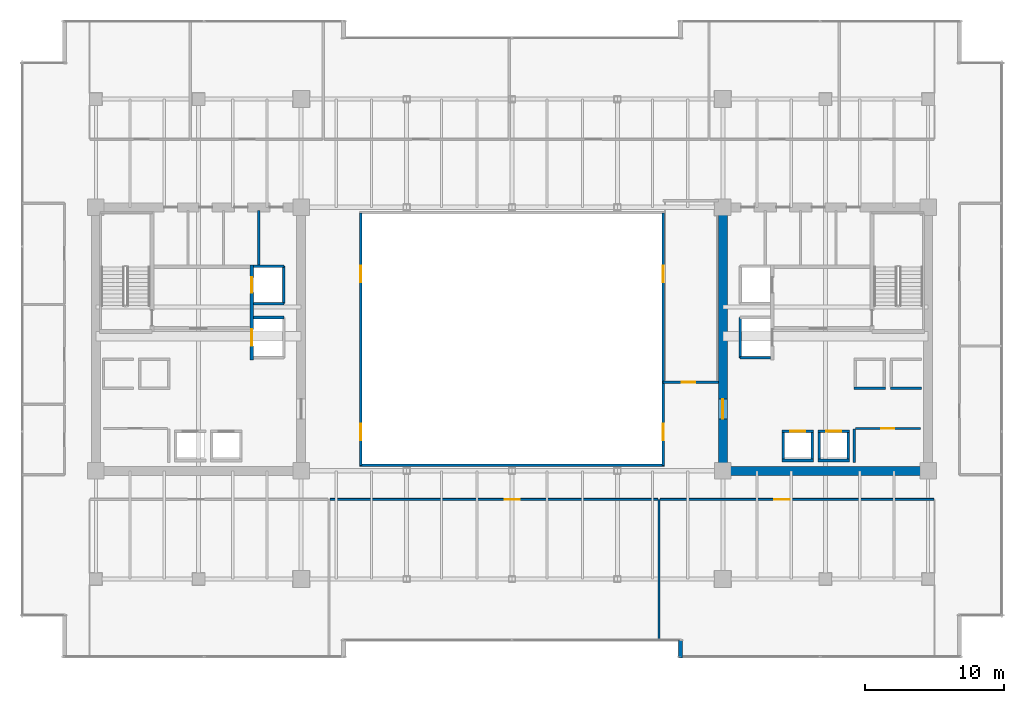
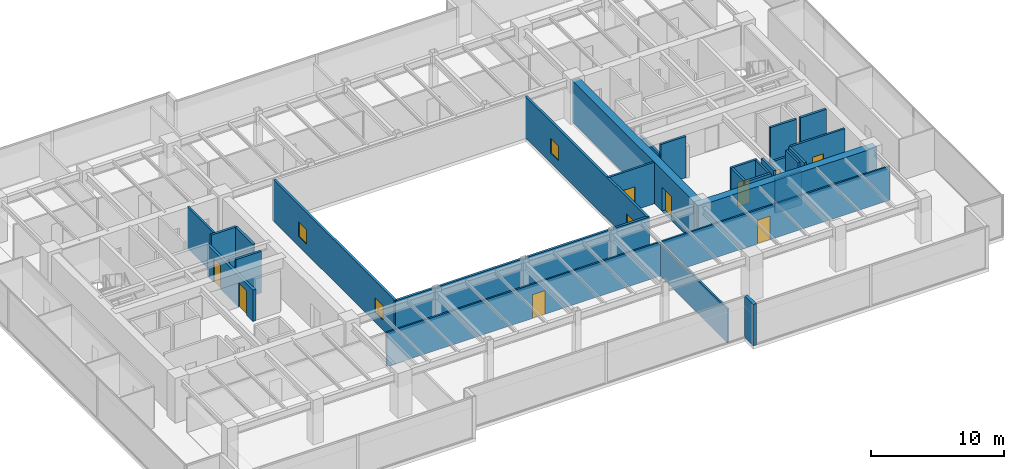
# One storey, part 26 of 33: 30 walls, 9 doors, 4 windows, 13 openings.
"""IFC4 building model written with IfcOpenShell, lengths in metres."""

from ifc_helpers import new_model, si_unit, direction, frame, frame_2d, origin, place, context, subcontext, project, spatial, rectangle, extrude, source, transform, mapped, material, layer, layer_set, type_object, type_shapes, element, fill, save


model = new_model("IFC4")

# Units and contexts
model_context = context("Model", 3, precision=1e-05, world=origin(), true_north=direction((0.0, 1.0)))
body_context = subcontext(model_context, "Body", "Model", "MODEL_VIEW")
ifc_project = project(units=[si_unit("LENGTHUNIT", "METRE"), si_unit("AREAUNIT", "SQUARE_METRE"), si_unit("VOLUMEUNIT", "CUBIC_METRE"), si_unit("PLANEANGLEUNIT", "RADIAN"), si_unit("MASSUNIT", "GRAM", prefix="KILO")], contexts=[model_context])

# Site, building, storey
site_placement = place(None, origin())
site = spatial("IfcSite", under=ifc_project, at=site_placement, CompositionType="ELEMENT")
building_placement = place(site_placement, origin())
building = spatial("IfcBuilding", under=site, at=building_placement, Name="Haelvirn Gate Laboratories", CompositionType="ELEMENT")
storey_placement = place(building_placement, frame((0.0, 0.0, 137.89990234375)))
storey = spatial("IfcBuildingStorey", under=building, at=storey_placement, Name="L33", CompositionType="ELEMENT", Elevation=137.89990234375)

# Walls
ifc_material_1 = material(Name="Thermally-broken bronze aluminium rainscreen & mineral wool", Category="aluminium")
ifc_layer_1 = layer(ifc_material_1, 0.280029296875, Name="EW-TERR-280")
ifc_layer_set_1 = layer_set([ifc_layer_1], Name="Thermally-broken bronze aluminium rainscreen & mineral wool")
wall_type_1 = type_object("IfcWallType", Name="EW-TERR-280", PredefinedType="STANDARD", material=ifc_layer_set_1)
wall_1_placement = place(storey_placement, frame((49.5400390625, 2.587890625, 0.0), z_axis=(0.0, 0.0, 1.0), x_axis=(0.0, -1.0, 0.0)))
element("IfcWall", 1, at=wall_1_placement, inside=storey, type_object=wall_type_1, Name="L33 Atrium Recess Bronze Return Wall 03", PredefinedType="STANDARD", context=body_context, shape_type="SweptSolid", body=[
    extrude(rectangle(XDim=1.287841796875, YDim=0.280029296875, at=frame_2d((0.64404296875, 0.0))), origin(), (0.0, 0.0, 1.0), 3.7900390625),
])
ifc_material_2 = material(Name="Double-layer acoustic gypsum laboratory partition", Category="gypsum")
ifc_layer_2 = layer(ifc_material_2, 0.159912109375, Name="IW-ACOUST-160")
ifc_layer_set_2 = layer_set([ifc_layer_2], Name="Double-layer acoustic gypsum laboratory partition")
wall_type_2 = type_object("IfcWallType", Name="IW-ACOUST-160", PredefinedType="PARTITIONING", material=ifc_layer_set_2)
wall_2_placement = place(storey_placement, frame((48.0, 2.610107421875, 0.0), z_axis=(0.0, 0.0, 1.0), x_axis=(0.0, 1.0, 0.0)))
element("IfcWall", 2, at=wall_2_placement, inside=storey, type_object=wall_type_2, Name="L33 Interior Wall IW-L33-SDIV-02", PredefinedType="PARTITIONING", context=body_context, shape_type="SweptSolid", body=[
    extrude(rectangle(XDim=10.1298828125, YDim=0.159912109375, at=frame_2d((5.06494140625, 0.0))), origin(), (0.0, 0.0, 1.0), 3.0751953125),
])

# Wall, opening, door
ifc_material_3 = material(Name="Fire-rated acoustic gypsum board partition", Category="gypsum")
ifc_layer_3 = layer(ifc_material_3, 0.175048828125, Name="IW-ACOUST-180")
ifc_layer_set_3 = layer_set([ifc_layer_3], Name="Fire-rated acoustic gypsum board partition")
wall_type_3 = type_object("IfcWallType", Name="IW-ACOUST-180", PredefinedType="PARTITIONING", material=ifc_layer_set_3)
wall_3_placement = place(storey_placement, frame((48.300048828125, 21.179931640625, 0.0), z_axis=(0.0, 0.0, 1.0), x_axis=(1.0, 0.0, 0.0)))
wall_3 = element("IfcWall", 3, at=wall_3_placement, inside=storey, type_object=wall_type_3, Name="L33 Interior Wall IW-L33-ASEM-S", PredefinedType="PARTITIONING", context=body_context, shape_type="SweptSolid", body=[
    extrude(rectangle(XDim=3.974853515625, YDim=0.175048828125, at=frame_2d((1.9873046875, 0.0))), origin(), (0.0, 0.0, 1.0), 3.7900390625),
])
opening_1_placement = place(wall_3_placement, frame((1.35009765625, 0.0, 0.0)))
opening_1 = element("IfcOpeningElement", 4, at=opening_1_placement, cuts=wall_3, Name="Opening FD4", PredefinedType="OPENING", context=body_context, shape_type="SweptSolid", body=[
    extrude(rectangle(XDim=0.949951171875, YDim=2.14990234375, at=frame_2d((0.47509765625, 1.074951171875))), frame((0.0, 0.09765625, 0.0), z_axis=(0.0, -1.0, 0.0), x_axis=(1.0, 0.0, 0.0)), (0.0, 0.0, 1.0), 0.195068359375),
])
ifc_material_4 = material(Name="Fire-rated steel SM355 core service door", Category="steel")
door_type_1 = type_object("IfcDoorType", Name="DR-FD-950", OperationType="NOTDEFINED", PredefinedType="DOOR", material=ifc_material_4)
shared_shape_1 = source(origin(), body_context, "Body", "SweptSolid", [
    extrude(rectangle(XDim=0.949951171875, YDim=2.14990234375, at=frame_2d((0.47509765625, 1.074951171875))), frame((0.0, 0.02490234375, 0.0), z_axis=(0.0, -1.0, 0.0), x_axis=(1.0, 0.0, 0.0)), (0.0, 0.0, 1.0), 0.050048828125),
])
type_shapes(door_type_1, [shared_shape_1])
door_1_placement = place(opening_1_placement, origin())
door_1 = element("IfcDoor", 5, at=door_1_placement, inside=storey, type_object=door_type_1, Name="L33 Atrium Bioinformatics Suite Door", OperationType="SINGLE_SWING_LEFT", OverallHeight=2.14990234375, OverallWidth=0.949951171875, PredefinedType="DOOR", context=body_context, shape_type="MappedRepresentation", body=[
    mapped(shared_shape_1, transform((0.0, 0.0, 0.0), scale=1.0)),
])
fill(opening_1, door_1)

# Wall, openings, windows
ifc_material_5 = material(Name="Tempered fire-rated borosilicate glass & anodised aluminium", Category="aluminium")
ifc_layer_4 = layer(ifc_material_5, 0.195068359375, Name="IW-GLAZ-200")
ifc_layer_set_4 = layer_set([ifc_layer_4], Name="Tempered fire-rated borosilicate glass & anodised aluminium")
wall_type_4 = type_object("IfcWallType", Name="IW-GLAZ-200", PredefinedType="SOLIDWALL", material=ifc_layer_set_4)
wall_4_placement = place(storey_placement, frame((26.5, 15.199951171875, 0.0), z_axis=(0.0, 0.0, 1.0), x_axis=(0.0, 1.0, 0.0)))
wall_4 = element("IfcWall", 6, at=wall_4_placement, inside=storey, type_object=wall_type_4, Name="L33 Interior Wall IW-L33-ATRIUM-W", PredefinedType="SOLIDWALL", context=body_context, shape_type="SweptSolid", body=[
    extrude(rectangle(XDim=18.199951171875, YDim=0.195068359375, at=frame_2d((9.10009765625, 0.0))), origin(), (0.0, 0.0, 1.0), 3.7900390625),
])
opening_2_placement = place(wall_4_placement, frame((1.800048828125, 0.0, 0.89990234375)))
opening_2 = element("IfcOpeningElement", 7, at=opening_2_placement, cuts=wall_4, Name="Opening W6", PredefinedType="OPENING", context=body_context, shape_type="SweptSolid", body=[
    extrude(rectangle(XDim=1.199951171875, YDim=1.35009765625, at=frame_2d((0.60009765625, 0.675048828125))), frame((0.0, 0.107421875, 0.0), z_axis=(0.0, -1.0, 0.0), x_axis=(1.0, 0.0, 0.0)), (0.0, 0.0, 1.0), 0.215087890625),
])
opening_3_placement = place(wall_4_placement, frame((13.199951171875, 0.0, 0.89990234375)))
opening_3 = element("IfcOpeningElement", 8, at=opening_3_placement, cuts=wall_4, Name="Opening W6", PredefinedType="OPENING", context=body_context, shape_type="SweptSolid", body=[
    extrude(rectangle(XDim=1.199951171875, YDim=1.35009765625, at=frame_2d((0.60009765625, 0.675048828125))), frame((0.0, 0.107421875, 0.0), z_axis=(0.0, -1.0, 0.0), x_axis=(1.0, 0.0, 0.0)), (0.0, 0.0, 1.0), 0.215087890625),
])
ifc_material_6 = material(Name="Fire-rated EI 120 borosilicate atrium vision glazing", Category="glass")
window_type = type_object("IfcWindowType", Name="WN-ATR-1200", PartitioningType="SINGLE_PANEL", PredefinedType="WINDOW", material=ifc_material_6)
shared_shape_2 = source(origin(), body_context, "Body", "SweptSolid", [
    extrude(rectangle(XDim=1.199951171875, YDim=1.35009765625, at=frame_2d((0.60009765625, 0.675048828125))), frame((0.0, 0.030029296875, 0.0), z_axis=(0.0, -1.0, 0.0), x_axis=(1.0, 0.0, 0.0)), (0.0, 0.0, 1.0), 0.06005859375),
])
type_shapes(window_type, [shared_shape_2])
window_1_placement = place(opening_2_placement, origin())
window_1 = element("IfcWindow", 9, at=window_1_placement, inside=storey, type_object=window_type, Name="L33 Atrium Observation Window 1", OverallHeight=1.35009765625, OverallWidth=1.199951171875, PartitioningType="SINGLE_PANEL", PredefinedType="WINDOW", context=body_context, shape_type="MappedRepresentation", body=[
    mapped(shared_shape_2, transform((0.0, 0.0, 0.0), scale=1.0)),
])
fill(opening_2, window_1)
window_2_placement = place(opening_3_placement, origin())
window_2 = element("IfcWindow", 10, at=window_2_placement, inside=storey, type_object=window_type, Name="L33 Atrium Observation Window 2", OverallHeight=1.35009765625, OverallWidth=1.199951171875, PartitioningType="SINGLE_PANEL", PredefinedType="WINDOW", context=body_context, shape_type="MappedRepresentation", body=[
    mapped(shared_shape_2, transform((0.0, 0.0, 0.0), scale=1.0)),
])
fill(opening_3, window_2)

wall_5_placement = place(storey_placement, frame((48.300048828125, 15.199951171875, 0.0), z_axis=(0.0, 0.0, 1.0), x_axis=(0.0, 1.0, 0.0)))
wall_5 = element("IfcWall", 11, at=wall_5_placement, inside=storey, type_object=wall_type_4, Name="L33 Interior Wall IW-L33-ATRIUM-E", PredefinedType="SOLIDWALL", context=body_context, shape_type="SweptSolid", body=[
    extrude(rectangle(XDim=18.199951171875, YDim=0.195068359375, at=frame_2d((9.10009765625, 0.0))), origin(), (0.0, 0.0, 1.0), 3.7900390625),
])
opening_4_placement = place(wall_5_placement, frame((1.800048828125, 0.0, 0.89990234375)))
opening_4 = element("IfcOpeningElement", 12, at=opening_4_placement, cuts=wall_5, Name="Opening W6", PredefinedType="OPENING", context=body_context, shape_type="SweptSolid", body=[
    extrude(rectangle(XDim=1.199951171875, YDim=1.35009765625, at=frame_2d((0.60009765625, 0.675048828125))), frame((0.0, 0.107421875, 0.0), z_axis=(0.0, -1.0, 0.0), x_axis=(1.0, 0.0, 0.0)), (0.0, 0.0, 1.0), 0.215087890625),
])
opening_5_placement = place(wall_5_placement, frame((13.199951171875, 0.0, 0.89990234375)))
opening_5 = element("IfcOpeningElement", 13, at=opening_5_placement, cuts=wall_5, Name="Opening W6", PredefinedType="OPENING", context=body_context, shape_type="SweptSolid", body=[
    extrude(rectangle(XDim=1.199951171875, YDim=1.35009765625, at=frame_2d((0.60009765625, 0.675048828125))), frame((0.0, 0.107421875, 0.0), z_axis=(0.0, -1.0, 0.0), x_axis=(1.0, 0.0, 0.0)), (0.0, 0.0, 1.0), 0.215087890625),
])
window_3_placement = place(opening_4_placement, origin())
window_3 = element("IfcWindow", 14, at=window_3_placement, inside=storey, type_object=window_type, Name="L33 Atrium Observation Window 1", OverallHeight=1.35009765625, OverallWidth=1.199951171875, PartitioningType="SINGLE_PANEL", PredefinedType="WINDOW", context=body_context, shape_type="MappedRepresentation", body=[
    mapped(shared_shape_2, transform((0.0, 0.0, 0.0), scale=1.0)),
])
fill(opening_4, window_3)
window_4_placement = place(opening_5_placement, origin())
window_4 = element("IfcWindow", 15, at=window_4_placement, inside=storey, type_object=window_type, Name="L33 Atrium Observation Window 2", OverallHeight=1.35009765625, OverallWidth=1.199951171875, PartitioningType="SINGLE_PANEL", PredefinedType="WINDOW", context=body_context, shape_type="MappedRepresentation", body=[
    mapped(shared_shape_2, transform((0.0, 0.0, 0.0), scale=1.0)),
])
fill(opening_5, window_4)

# Wall
wall_6_placement = place(storey_placement, frame((26.39990234375, 15.199951171875, 0.0), z_axis=(0.0, 0.0, 1.0), x_axis=(1.0, 0.0, 0.0)))
element("IfcWall", 16, at=wall_6_placement, inside=storey, type_object=wall_type_4, Name="L33 Interior Wall IW-L33-ATRIUM-S", PredefinedType="SOLIDWALL", context=body_context, shape_type="SweptSolid", body=[
    extrude(rectangle(XDim=22.0, YDim=0.195068359375, at=frame_2d((11.0, 0.0))), origin(), (0.0, 0.0, 1.0), 3.7900390625),
])

# Wall, opening, door
ifc_material_7 = material(Name="Acoustic mineral-wool gypsum board partition", Category="gypsum")
ifc_layer_5 = layer(ifc_material_7, 0.139892578125, Name="IW-PART-140")
ifc_layer_set_5 = layer_set([ifc_layer_5], Name="Acoustic mineral-wool gypsum board partition")
wall_type_5 = type_object("IfcWallType", Name="IW-PART-140", PredefinedType="PARTITIONING", material=ifc_layer_set_5)
wall_7_placement = place(storey_placement, frame((24.280029296875, 12.739990234375, 0.0), z_axis=(0.0, 0.0, 1.0), x_axis=(1.0, 0.0, 0.0)))
wall_7 = element("IfcWall", 17, at=wall_7_placement, inside=storey, type_object=wall_type_5, Name="L33 Interior Wall IW-L33-SCORR-02", PredefinedType="PARTITIONING", context=body_context, shape_type="SweptSolid", body=[
    extrude(rectangle(XDim=23.639892578125, YDim=0.139892578125, at=frame_2d((11.81982421875, 0.0))), origin(), (0.0, 0.0, 1.0), 3.125),
])
opening_6_placement = place(wall_7_placement, frame((12.580322265625, 0.0, 0.0)))
opening_6 = element("IfcOpeningElement", 18, at=opening_6_placement, cuts=wall_7, Name="Opening D1", PredefinedType="OPENING", context=body_context, shape_type="SweptSolid", body=[
    extrude(rectangle(XDim=1.10009765625, YDim=2.179931640625, at=frame_2d((0.550048828125, 1.08984375))), frame((0.0, 0.080078125, 0.0), z_axis=(0.0, -1.0, 0.0), x_axis=(1.0, 0.0, 0.0)), (0.0, 0.0, 1.0), 0.159912109375),
])
ifc_material_8 = material(Name="Vision-panel acoustic solid-core timber lab door", Category="wood")
door_type_2 = type_object("IfcDoorType", Name="DR-LAB-1100", OperationType="NOTDEFINED", PredefinedType="DOOR", material=ifc_material_8)
shared_shape_3 = source(origin(), body_context, "Body", "SweptSolid", [
    extrude(rectangle(XDim=1.10009765625, YDim=2.179931640625, at=frame_2d((0.550048828125, 1.08984375))), frame((0.0, 0.02490234375, 0.0), z_axis=(0.0, -1.0, 0.0), x_axis=(1.0, 0.0, 0.0)), (0.0, 0.0, 1.0), 0.050048828125),
])
type_shapes(door_type_2, [shared_shape_3])
door_2_placement = place(opening_6_placement, origin())
door_2 = element("IfcDoor", 19, at=door_2_placement, inside=storey, type_object=door_type_2, Name="L33 Translational Data Office Door S2", OperationType="SINGLE_SWING_LEFT", OverallHeight=2.179931640625, OverallWidth=1.10009765625, PredefinedType="DOOR", context=body_context, shape_type="MappedRepresentation", body=[
    mapped(shared_shape_3, transform((0.0, 0.0, 0.0), scale=1.0)),
])
fill(opening_6, door_2)

wall_8_placement = place(storey_placement, frame((48.080078125, 12.739990234375, 0.0), z_axis=(0.0, 0.0, 1.0), x_axis=(1.0, 0.0, 0.0)))
wall_8 = element("IfcWall", 20, at=wall_8_placement, inside=storey, type_object=wall_type_5, Name="L33 Interior Wall IW-L33-SCORR-03", PredefinedType="PARTITIONING", context=body_context, shape_type="SweptSolid", body=[
    extrude(rectangle(XDim=19.739990234375, YDim=0.139892578125, at=frame_2d((9.8701171875, 0.0))), origin(), (0.0, 0.0, 1.0), 3.125),
])
opening_7_placement = place(wall_8_placement, frame((8.24365234375, 0.0, 0.0)))
opening_7 = element("IfcOpeningElement", 21, at=opening_7_placement, cuts=wall_8, Name="Opening D1", PredefinedType="OPENING", context=body_context, shape_type="SweptSolid", body=[
    extrude(rectangle(XDim=1.10009765625, YDim=2.179931640625, at=frame_2d((0.550048828125, 1.08984375))), frame((0.0, 0.080078125, 0.0), z_axis=(0.0, -1.0, 0.0), x_axis=(1.0, 0.0, 0.0)), (0.0, 0.0, 1.0), 0.159912109375),
])
door_3_placement = place(opening_7_placement, origin())
door_3 = element("IfcDoor", 22, at=door_3_placement, inside=storey, type_object=door_type_2, Name="L33 Peer-Review Seminar Room Door S3", OperationType="SINGLE_SWING_RIGHT", OverallHeight=2.179931640625, OverallWidth=1.10009765625, PredefinedType="DOOR", context=body_context, shape_type="MappedRepresentation", body=[
    mapped(shared_shape_3, transform((0.0, 0.0, 0.0), scale=1.0)),
])
fill(opening_7, door_3)

# Walls
ifc_material_9 = material(Name="Cement-board restroom plumbing chase wall", Category="gypsum")
ifc_layer_6 = layer(ifc_material_9, 0.155029296875, Name="IW-PLUMB-160")
ifc_layer_set_6 = layer_set([ifc_layer_6], Name="Cement-board restroom plumbing chase wall")
wall_type_6 = type_object("IfcWallType", Name="IW-PLUMB-160", PredefinedType="PLUMBINGWALL", material=ifc_layer_set_6)
wall_9_placement = place(storey_placement, frame((19.139892578125, 29.64990234375, 0.0), z_axis=(0.0, 0.0, 1.0), x_axis=(0.0, 1.0, 0.0)))
element("IfcWall", 23, at=wall_9_placement, inside=storey, type_object=wall_type_6, Name="L33 Interior Wall IW-L33-W-CDIV-3", PredefinedType="PLUMBINGWALL", context=body_context, shape_type="SweptSolid", body=[
    extrude(rectangle(XDim=3.93017578125, YDim=0.155029296875, at=frame_2d((1.965087890625, 0.0))), origin(), (0.0, 0.0, 1.0), 3.7900390625),
])
ifc_material_10 = material(Name="Concrete C40/50", Category="concrete")
ifc_layer_7 = layer(ifc_material_10, 0.179931640625, Name="IW-SHAFT-180")
ifc_layer_set_7 = layer_set([ifc_layer_7], Name="Concrete C40/50")
wall_type_7 = type_object("IfcWallType", Name="IW-SHAFT-180", PredefinedType="SOLIDWALL", material=ifc_layer_set_7)
for number, where, z_axis, x_axis, name in (
    (24, (59.550048828125, 15.64990234375, 0.0), (0.0, 0.0, 1.0), (0.0, 1.0, 0.0), "L33 Interior Wall IW-L33-PL7-SD"),
    (25, (61.64990234375, 15.64990234375, 0.0), (0.0, 0.0, 1.0), (0.0, 1.0, 0.0), "L33 Interior Wall IW-L33-PL7-SDE"),
    (26, (56.949951171875, 15.64990234375, 0.0), (0.0, 0.0, 1.0), (0.0, 1.0, 0.0), "L33 Interior Wall IW-L33-PL8-SD"),
    (27, (59.050048828125, 15.64990234375, 0.0), (0.0, 0.0, 1.0), (0.0, 1.0, 0.0), "L33 Interior Wall IW-L33-PL8-SDE"),
):
    element("IfcWall", number, at=place(storey_placement, frame(where, z_axis=z_axis, x_axis=x_axis)), inside=storey, type_object=wall_type_7, Name=name, PredefinedType="SOLIDWALL", context=body_context, shape_type="SweptSolid", body=[
        extrude(rectangle(XDim=1.900146484375, YDim=0.179931640625, at=frame_2d((0.9501953125, 0.0))), origin(), (0.0, 0.0, 1.0), 3.7900390625),
    ])

# Wall, opening, door
wall_10_placement = place(storey_placement, frame((62.14990234375, 17.85009765625, 0.0), z_axis=(0.0, 0.0, 1.0), x_axis=(1.0, 0.0, 0.0)))
wall_10 = element("IfcWall", 28, at=wall_10_placement, inside=storey, type_object=wall_type_7, Name="L33 Interior Wall IW-L33-E-FREED-LN-1", PredefinedType="SOLIDWALL", context=body_context, shape_type="SweptSolid", body=[
    extrude(rectangle(XDim=4.7001953125, YDim=0.179931640625, at=frame_2d((2.35009765625, 0.0))), origin(), (0.0, 0.0, 1.0), 3.7900390625),
])
opening_8_placement = place(wall_10_placement, frame((1.875, 0.0, 0.0)))
opening_8 = element("IfcOpeningElement", 29, at=opening_8_placement, cuts=wall_10, Name="Opening FD4", PredefinedType="OPENING", context=body_context, shape_type="SweptSolid", body=[
    extrude(rectangle(XDim=0.949951171875, YDim=2.14990234375, at=frame_2d((0.47509765625, 1.074951171875))), frame((0.0, 0.10009765625, 0.0), z_axis=(0.0, -1.0, 0.0), x_axis=(1.0, 0.0, 0.0)), (0.0, 0.0, 1.0), 0.199951171875),
])
door_4_placement = place(opening_8_placement, origin())
door_4 = element("IfcDoor", 30, at=door_4_placement, inside=storey, type_object=door_type_1, Name="L33 Autoclave & Glasswash Room Door", OperationType="SINGLE_SWING_LEFT", OverallHeight=2.14990234375, OverallWidth=0.949951171875, PredefinedType="DOOR", context=body_context, shape_type="MappedRepresentation", body=[
    mapped(shared_shape_1, transform((0.0, 0.0, 0.0), scale=1.0)),
])
fill(opening_8, door_4)

# Walls
wall_11_placement = place(storey_placement, frame((62.06005859375, 15.39990234375, 0.0), z_axis=(0.0, 0.0, 1.0), x_axis=(0.0, 1.0, 0.0)))
element("IfcWall", 31, at=wall_11_placement, inside=storey, type_object=wall_type_7, Name="L33 Interior Wall IW-L33-E-FREED-LE-1", PredefinedType="SOLIDWALL", context=body_context, shape_type="SweptSolid", body=[
    extrude(rectangle(XDim=2.400146484375, YDim=0.179931640625, at=frame_2d((1.2001953125, 0.0))), origin(), (0.0, 0.0, 1.0), 3.7900390625),
])
ifc_layer_8 = layer(ifc_material_10, 0.199951171875, Name="IW-SHAFT-200")
ifc_layer_set_8 = layer_set([ifc_layer_8], Name="Concrete C40/50")
wall_type_8 = type_object("IfcWallType", Name="IW-SHAFT-200", PredefinedType="SOLIDWALL", material=ifc_layer_set_8)
wall_12_placement = place(storey_placement, frame((20.949951171875, 26.85009765625, 0.0), z_axis=(0.0, 0.0, 1.0), x_axis=(0.0, 1.0, 0.0)))
element("IfcWall", 32, at=wall_12_placement, inside=storey, type_object=wall_type_8, Name="L33 Interior Wall IW-L33-FL1-BK", PredefinedType="SOLIDWALL", context=body_context, shape_type="SweptSolid", body=[
    extrude(rectangle(XDim=2.699951171875, YDim=0.199951171875, at=frame_2d((1.35009765625, 0.0))), origin(), (0.0, 0.0, 1.0), 3.7900390625),
])
wall_13_placement = place(storey_placement, frame((18.760009765625, 29.550048828125, 0.0), z_axis=(0.0, 0.0, 1.0), x_axis=(1.0, 0.0, 0.0)))
element("IfcWall", 33, at=wall_13_placement, inside=storey, type_object=wall_type_8, Name="L33 Interior Wall IW-L33-FL1-N", PredefinedType="SOLIDWALL", context=body_context, shape_type="SweptSolid", body=[
    extrude(rectangle(XDim=2.18994140625, YDim=0.199951171875, at=frame_2d((1.094970703125, 0.0))), origin(), (0.0, 0.0, 1.0), 3.7900390625),
])
wall_14_placement = place(storey_placement, frame((18.760009765625, 26.85009765625, 0.0), z_axis=(0.0, 0.0, 1.0), x_axis=(1.0, 0.0, 0.0)))
element("IfcWall", 34, at=wall_14_placement, inside=storey, type_object=wall_type_8, Name="L33 Interior Wall IW-L33-FL1-S", PredefinedType="SOLIDWALL", context=body_context, shape_type="SweptSolid", body=[
    extrude(rectangle(XDim=2.18994140625, YDim=0.199951171875, at=frame_2d((1.094970703125, 0.0))), origin(), (0.0, 0.0, 1.0), 3.18701171875),
])
wall_15_placement = place(storey_placement, frame((18.760009765625, 25.85009765625, 0.0), z_axis=(0.0, 0.0, 1.0), x_axis=(1.0, 0.0, 0.0)))
element("IfcWall", 35, at=wall_15_placement, inside=storey, type_object=wall_type_8, Name="L33 Interior Wall IW-L33-SL1-N", PredefinedType="SOLIDWALL", context=body_context, shape_type="SweptSolid", body=[
    extrude(rectangle(XDim=2.18994140625, YDim=0.199951171875, at=frame_2d((1.094970703125, 0.0))), origin(), (0.0, 0.0, 1.0), 3.7900390625),
])

# Wall, opening, door
wall_16_placement = place(storey_placement, frame((59.469970703125, 17.64990234375, 0.0), z_axis=(0.0, 0.0, 1.0), x_axis=(1.0, 0.0, 0.0)))
wall_16 = element("IfcWall", 36, at=wall_16_placement, inside=storey, type_object=wall_type_8, Name="L33 Interior Wall IW-L33-PL7-FR", PredefinedType="SOLIDWALL", context=body_context, shape_type="SweptSolid", body=[
    extrude(rectangle(XDim=2.260009765625, YDim=0.199951171875, at=frame_2d((1.1298828125, 0.0))), origin(), (0.0, 0.0, 1.0), 3.125),
])
opening_9_placement = place(wall_16_placement, frame((0.580078125, 0.0, 0.0)))
opening_9 = element("IfcOpeningElement", 37, at=opening_9_placement, cuts=wall_16, Name="Opening LD2", PredefinedType="OPENING", context=body_context, shape_type="SweptSolid", body=[
    extrude(rectangle(XDim=1.10009765625, YDim=2.219970703125, at=frame_2d((0.550048828125, 1.10986328125))), frame((0.0, 0.10986328125, 0.0), z_axis=(0.0, -1.0, 0.0), x_axis=(1.0, 0.0, 0.0)), (0.0, 0.0, 1.0), 0.219970703125),
])
ifc_material_11 = material(Name="Bronze stainless 316L sliding lift landing door")
door_type_3 = type_object("IfcDoorType", Name="DR-LD-1100", OperationType="NOTDEFINED", PredefinedType="USERDEFINED", material=ifc_material_11)
shared_shape_4 = source(origin(), body_context, "Body", "SweptSolid", [
    extrude(rectangle(XDim=1.10009765625, YDim=2.219970703125, at=frame_2d((0.550048828125, 1.10986328125))), frame((0.0, 0.02490234375, 0.0), z_axis=(0.0, -1.0, 0.0), x_axis=(1.0, 0.0, 0.0)), (0.0, 0.0, 1.0), 0.050048828125),
])
type_shapes(door_type_3, [shared_shape_4])
door_5_placement = place(opening_9_placement, origin())
door_5 = element("IfcDoor", 38, at=door_5_placement, inside=storey, type_object=door_type_3, Name="L33 Passenger Lift PL7 Landing Door", ObjectType="LANDING_DOOR", OperationType="SLIDING_TO_LEFT", OverallHeight=2.219970703125, OverallWidth=1.10009765625, PredefinedType="USERDEFINED", context=body_context, shape_type="MappedRepresentation", body=[
    mapped(shared_shape_4, transform((0.0, 0.0, 0.0), scale=1.0)),
])
fill(opening_9, door_5)

# Wall
wall_17_placement = place(storey_placement, frame((59.469970703125, 15.550048828125, 0.0), z_axis=(0.0, 0.0, 1.0), x_axis=(1.0, 0.0, 0.0)))
element("IfcWall", 39, at=wall_17_placement, inside=storey, type_object=wall_type_8, Name="L33 Interior Wall IW-L33-PL7-BK", PredefinedType="SOLIDWALL", context=body_context, shape_type="SweptSolid", body=[
    extrude(rectangle(XDim=2.260009765625, YDim=0.199951171875, at=frame_2d((1.1298828125, 0.0))), origin(), (0.0, 0.0, 1.0), 3.125),
])

# Wall, opening, door
wall_18_placement = place(storey_placement, frame((56.8701171875, 17.64990234375, 0.0), z_axis=(0.0, 0.0, 1.0), x_axis=(1.0, 0.0, 0.0)))
wall_18 = element("IfcWall", 40, at=wall_18_placement, inside=storey, type_object=wall_type_8, Name="L33 Interior Wall IW-L33-PL8-FR", PredefinedType="SOLIDWALL", context=body_context, shape_type="SweptSolid", body=[
    extrude(rectangle(XDim=2.259765625, YDim=0.199951171875, at=frame_2d((1.1298828125, 0.0))), origin(), (0.0, 0.0, 1.0), 3.7900390625),
])
opening_10_placement = place(wall_18_placement, frame((0.580078125, 0.0, 0.0)))
opening_10 = element("IfcOpeningElement", 41, at=opening_10_placement, cuts=wall_18, Name="Opening LD2", PredefinedType="OPENING", context=body_context, shape_type="SweptSolid", body=[
    extrude(rectangle(XDim=1.10009765625, YDim=2.219970703125, at=frame_2d((0.550048828125, 1.10986328125))), frame((0.0, 0.10986328125, 0.0), z_axis=(0.0, -1.0, 0.0), x_axis=(1.0, 0.0, 0.0)), (0.0, 0.0, 1.0), 0.219970703125),
])
door_6_placement = place(opening_10_placement, origin())
door_6 = element("IfcDoor", 42, at=door_6_placement, inside=storey, type_object=door_type_3, Name="L33 Passenger Lift PL8 Landing Door", ObjectType="LANDING_DOOR", OperationType="SLIDING_TO_RIGHT", OverallHeight=2.219970703125, OverallWidth=1.10009765625, PredefinedType="USERDEFINED", context=body_context, shape_type="MappedRepresentation", body=[
    mapped(shared_shape_4, transform((0.0, 0.0, 0.0), scale=1.0)),
])
fill(opening_10, door_6)

# Walls
wall_19_placement = place(storey_placement, frame((56.8701171875, 15.550048828125, 0.0), z_axis=(0.0, 0.0, 1.0), x_axis=(1.0, 0.0, 0.0)))
element("IfcWall", 43, at=wall_19_placement, inside=storey, type_object=wall_type_8, Name="L33 Interior Wall IW-L33-PL8-BK", PredefinedType="SOLIDWALL", context=body_context, shape_type="SweptSolid", body=[
    extrude(rectangle(XDim=2.259765625, YDim=0.199951171875, at=frame_2d((1.1298828125, 0.0))), origin(), (0.0, 0.0, 1.0), 3.7900390625),
])
for number, where, z_axis, x_axis, name in (
    (44, (64.669921875, 20.75, 0.0), (0.0, 0.0, 1.0), (1.0, 0.0, 0.0), "L33 Interior Wall IW-L33-PL11-FR"),
    (45, (62.070068359375, 20.75, 0.0), (0.0, 0.0, 1.0), (1.0, 0.0, 0.0), "L33 Interior Wall IW-L33-PL12-FR"),
):
    element("IfcWall", number, at=place(storey_placement, frame(where, z_axis=z_axis, x_axis=x_axis)), inside=storey, type_object=wall_type_8, Name=name, PredefinedType="SOLIDWALL", context=body_context, shape_type="SweptSolid", body=[
        extrude(rectangle(XDim=2.260009765625, YDim=0.199951171875, at=frame_2d((1.1298828125, 0.0))), origin(), (0.0, 0.0, 1.0), 3.7900390625),
    ])
wall_20_placement = place(storey_placement, frame((53.85009765625, 22.949951171875, 0.0), z_axis=(0.0, 0.0, 1.0), x_axis=(0.0, 1.0, 0.0)))
element("IfcWall", 46, at=wall_20_placement, inside=storey, type_object=wall_type_8, Name="L33 Interior Wall IW-L33-SL2-BK", PredefinedType="SOLIDWALL", context=body_context, shape_type="SweptSolid", body=[
    extrude(rectangle(XDim=2.900146484375, YDim=0.199951171875, at=frame_2d((1.4501953125, 0.0))), origin(), (0.0, 0.0, 1.0), 2.875),
])
wall_21_placement = place(storey_placement, frame((53.85009765625, 22.949951171875, 0.0), z_axis=(0.0, 0.0, 1.0), x_axis=(1.0, 0.0, 0.0)))
element("IfcWall", 47, at=wall_21_placement, inside=storey, type_object=wall_type_8, Name="L33 Interior Wall IW-L33-SL2-S", PredefinedType="SOLIDWALL", context=body_context, shape_type="SweptSolid", body=[
    extrude(rectangle(XDim=2.18994140625, YDim=0.199951171875, at=frame_2d((1.094970703125, 0.0))), origin(), (0.0, 0.0, 1.0), 3.7900390625),
])

# Wall, openings, doors
ifc_layer_9 = layer(ifc_material_10, 0.239990234375, Name="IW-SHAFT-240")
ifc_layer_set_9 = layer_set([ifc_layer_9], Name="Concrete C40/50")
wall_type_9 = type_object("IfcWallType", Name="IW-SHAFT-240", PredefinedType="SOLIDWALL", material=ifc_layer_set_9)
wall_22_placement = place(storey_placement, frame((18.639892578125, 22.800048828125, 0.0), z_axis=(0.0, 0.0, 1.0), x_axis=(0.0, 1.0, 0.0)))
wall_22 = element("IfcWall", 48, at=wall_22_placement, inside=storey, type_object=wall_type_9, Name="L33 Interior Wall IW-L33-W-FF-E", PredefinedType="SOLIDWALL", context=body_context, shape_type="SweptSolid", body=[
    extrude(rectangle(XDim=6.849853515625, YDim=0.239990234375, at=frame_2d((3.4248046875, 0.0))), origin(), (0.0, 0.0, 1.0), 2.875),
])
opening_11_placement = place(wall_22_placement, frame((4.85009765625, 0.0, 0.0)))
opening_11 = element("IfcOpeningElement", 49, at=opening_11_placement, cuts=wall_22, Name="Opening LD2", PredefinedType="OPENING", context=body_context, shape_type="SweptSolid", body=[
    extrude(rectangle(XDim=1.10009765625, YDim=2.219970703125, at=frame_2d((0.550048828125, 1.10986328125))), frame((0.0, 0.1298828125, 0.0), z_axis=(0.0, -1.0, 0.0), x_axis=(1.0, 0.0, 0.0)), (0.0, 0.0, 1.0), 0.260009765625),
])
opening_12_placement = place(wall_22_placement, frame((1.0, 0.0, 0.0)))
opening_12 = element("IfcOpeningElement", 50, at=opening_12_placement, cuts=wall_22, Name="Opening LD1", PredefinedType="OPENING", context=body_context, shape_type="SweptSolid", body=[
    extrude(rectangle(XDim=1.199951171875, YDim=2.219970703125, at=frame_2d((0.60009765625, 1.10986328125))), frame((0.0, 0.1298828125, 0.0), z_axis=(0.0, -1.0, 0.0), x_axis=(1.0, 0.0, 0.0)), (0.0, 0.0, 1.0), 0.260009765625),
])
door_7_placement = place(opening_11_placement, origin())
door_7 = element("IfcDoor", 51, at=door_7_placement, inside=storey, type_object=door_type_3, Name="L33 Firefighting Lift FL1 Landing Door", ObjectType="LANDING_DOOR", OperationType="SLIDING_TO_LEFT", OverallHeight=2.219970703125, OverallWidth=1.10009765625, PredefinedType="USERDEFINED", context=body_context, shape_type="MappedRepresentation", body=[
    mapped(shared_shape_4, transform((0.0, 0.0, 0.0), scale=1.0)),
])
fill(opening_11, door_7)
ifc_material_12 = material(Name="Stainless steel 316L sliding goods landing door", Category="steel")
door_type_4 = type_object("IfcDoorType", Name="DR-LD-1200", OperationType="NOTDEFINED", PredefinedType="USERDEFINED", material=ifc_material_12)
shared_shape_5 = source(origin(), body_context, "Body", "SweptSolid", [
    extrude(rectangle(XDim=1.199951171875, YDim=2.219970703125, at=frame_2d((0.60009765625, 1.10986328125))), frame((0.0, 0.02490234375, 0.0), z_axis=(0.0, -1.0, 0.0), x_axis=(1.0, 0.0, 0.0)), (0.0, 0.0, 1.0), 0.050048828125),
])
type_shapes(door_type_4, [shared_shape_5])
door_8_placement = place(opening_12_placement, origin())
door_8 = element("IfcDoor", 52, at=door_8_placement, inside=storey, type_object=door_type_4, Name="L33 Service Lift SL1 Landing Door", ObjectType="LANDING_DOOR", OperationType="SLIDING_TO_RIGHT", OverallHeight=2.219970703125, OverallWidth=1.199951171875, PredefinedType="USERDEFINED", context=body_context, shape_type="MappedRepresentation", body=[
    mapped(shared_shape_5, transform((0.0, 0.0, 0.0), scale=1.0)),
])
fill(opening_12, door_8)

# Wall
ifc_material_13 = material(Name="Concrete C60/75", Category="concrete")
ifc_layer_10 = layer(ifc_material_13, 0.64990234375, Name="SW-CORE-650")
ifc_layer_set_10 = layer_set([ifc_layer_10], Name="Concrete C60/75")
wall_type_10 = type_object("IfcWallType", Name="SW-CORE-650", PredefinedType="SHEAR", material=ifc_layer_set_10)
wall_23_placement = place(storey_placement, frame((52.27490234375, 14.800048828125, 0.0), z_axis=(0.0, 0.0, 1.0), x_axis=(1.0, 0.0, 0.0)))
element("IfcWall", 53, at=wall_23_placement, inside=storey, type_object=wall_type_10, Name="L33 E Core Shear Wall S", PredefinedType="SHEAR", context=body_context, shape_type="SweptSolid", body=[
    extrude(rectangle(XDim=15.4501953125, YDim=0.64990234375, at=frame_2d((7.72509765625, 0.0))), origin(), (0.0, 0.0, 1.0), 3.7900390625),
])

# Wall, opening, door
wall_24_placement = place(storey_placement, frame((52.60009765625, 15.125, 0.0), z_axis=(0.0, 0.0, 1.0), x_axis=(0.0, 1.0, 0.0)))
wall_24 = element("IfcWall", 54, at=wall_24_placement, inside=storey, type_object=wall_type_10, Name="L33 E Core Shear Wall W", PredefinedType="SHEAR", context=body_context, shape_type="SweptSolid", body=[
    extrude(rectangle(XDim=18.35009765625, YDim=0.64990234375, at=frame_2d((9.175048828125, 0.0))), origin(), (0.0, 0.0, 1.0), 3.7900390625),
])
opening_13_placement = place(wall_24_placement, frame((3.425048828125, 0.0, 0.0)))
opening_13 = element("IfcOpeningElement", 55, at=opening_13_placement, cuts=wall_24, Name="Opening FD1", PredefinedType="OPENING", context=body_context, shape_type="SweptSolid", body=[
    extrude(rectangle(XDim=1.419921875, YDim=2.199951171875, at=frame_2d((0.7099609375, 1.10009765625))), frame((0.0, 0.3349609375, 0.0), z_axis=(0.0, -1.0, 0.0), x_axis=(1.0, 0.0, 0.0)), (0.0, 0.0, 1.0), 0.669921875),
])
ifc_material_14 = material(Name="Fire-rated double steel SM355 lobby door", Category="steel")
door_type_5 = type_object("IfcDoorType", Name="DR-FD-1400", OperationType="NOTDEFINED", PredefinedType="DOOR", material=ifc_material_14)
shared_shape_6 = source(origin(), body_context, "Body", "SweptSolid", [
    extrude(rectangle(XDim=1.419921875, YDim=2.199951171875, at=frame_2d((0.7099609375, 1.10009765625))), frame((0.0, 0.02490234375, 0.0), z_axis=(0.0, -1.0, 0.0), x_axis=(1.0, 0.0, 0.0)), (0.0, 0.0, 1.0), 0.050048828125),
])
type_shapes(door_type_5, [shared_shape_6])
door_9_placement = place(opening_13_placement, origin())
door_9 = element("IfcDoor", 56, at=door_9_placement, inside=storey, type_object=door_type_5, Name="L33 East Core Lift Lobby Fire Door", OperationType="DOUBLE_DOOR_SINGLE_SWING", OverallHeight=2.199951171875, OverallWidth=1.419921875, PredefinedType="DOOR", context=body_context, shape_type="MappedRepresentation", body=[
    mapped(shared_shape_6, transform((0.0, 0.0, 0.0), scale=1.0)),
])
fill(opening_13, door_9)

save(model, "model.ifc")
